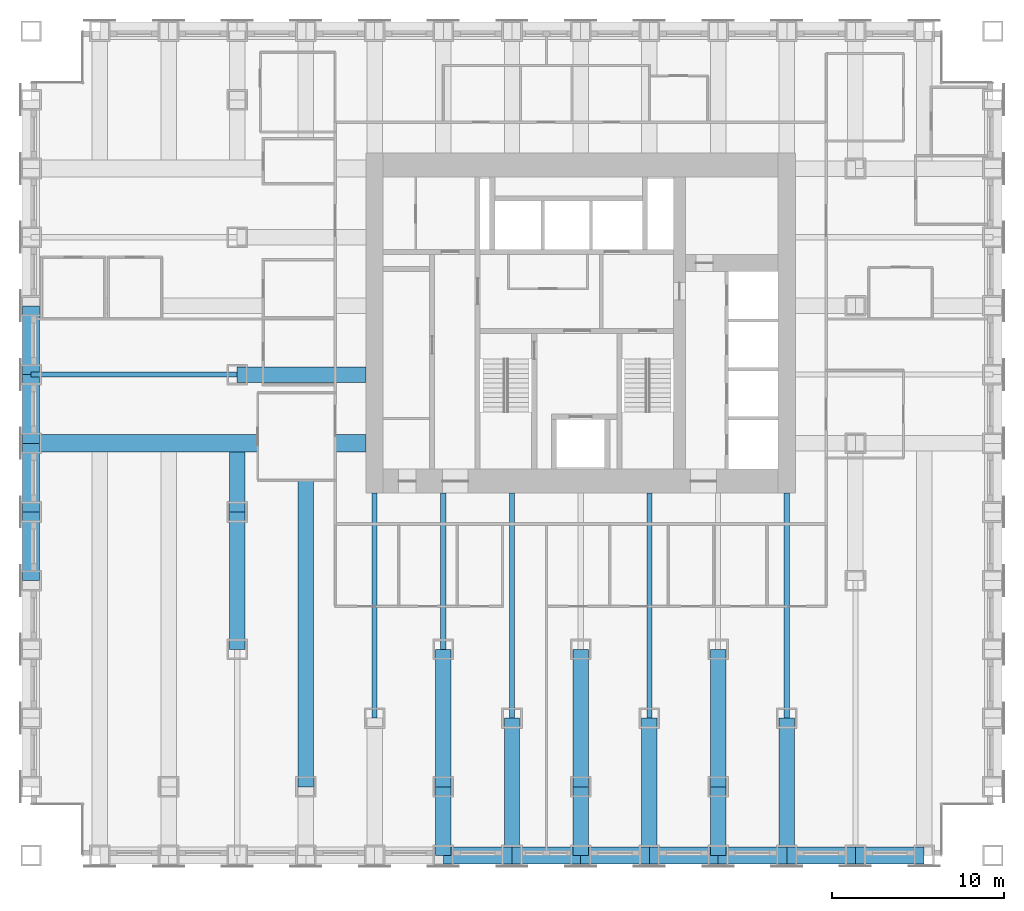
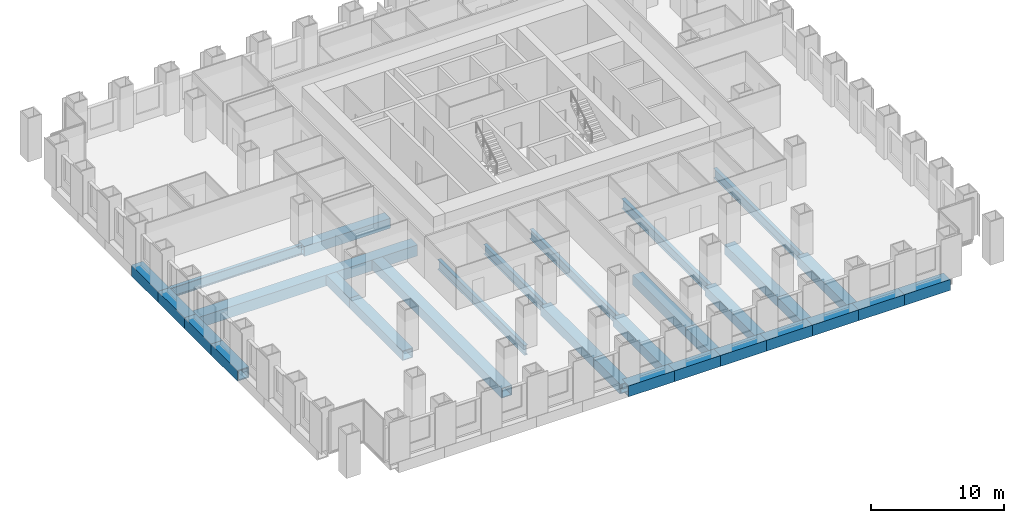
# One storey, part 3 of 15: 31 beams.
"""IFC4 building model written with IfcOpenShell, lengths in metres."""

from ifc_helpers import new_model, si_unit, direction, frame, origin, origin_2d, place, context, subcontext, project, spatial, hollow_rectangle, i_section, extrude, material, material_profile, profile_set, type_object, element, save


model = new_model("IFC4")

# Units and contexts
model_context = context("Model", 3, precision=1e-05, world=origin(), true_north=direction((0.0, 1.0)))
body_context = subcontext(model_context, "Body", "Model", "MODEL_VIEW")
ifc_project = project(units=[si_unit("LENGTHUNIT", "METRE"), si_unit("AREAUNIT", "SQUARE_METRE"), si_unit("VOLUMEUNIT", "CUBIC_METRE"), si_unit("PLANEANGLEUNIT", "RADIAN"), si_unit("MASSUNIT", "GRAM", prefix="KILO")], contexts=[model_context])

# Site, building, storey
site_placement = place(None, origin())
site = spatial("IfcSite", under=ifc_project, at=site_placement, CompositionType="ELEMENT")
building_placement = place(site_placement, origin())
building = spatial("IfcBuilding", under=site, at=building_placement, Name="Rimbunsela Tower", CompositionType="ELEMENT")
storey_placement = place(building_placement, frame((0.0, 0.0, 19.0)))
storey = spatial("IfcBuildingStorey", under=building, at=storey_placement, Name="L04", CompositionType="ELEMENT", Elevation=19.0)

# Beams
ifc_material_1 = material(Name="Steel BJ 55 (fy 410 MPa)", Category="steel")
ifc_material_profile_1 = material_profile(ifc_material_1, hollow_rectangle(XDim=1.0, YDim=1.0, WallThickness=0.10009765625, at=origin_2d()), Name="BOX 1000x1000x100")
ifc_profile_set_1 = profile_set([ifc_material_profile_1], Name="Steel BJ 55 (fy 410 MPa)")
beam_type_1 = type_object("IfcBeamType", Name="Beam BOX 1000x1000x100", PredefinedType="BEAM", material=ifc_profile_set_1)
for number, where, z_axis, x_axis, name in (
    (1, (-2.0, 12.0, -0.64990234375), (0.0, 1.0, 0.0), (-1.0, 0.0, 0.0), "Beam B3 L04"),
    (2, (-2.0, 16.0, -0.64990234375), (0.0, 1.0, 0.0), (-1.0, 0.0, 0.0), "Beam B3 L04"),
    (3, (-2.0, 20.0, -0.64990234375), (0.0, 1.0, 0.0), (-1.0, 0.0, 0.0), "Beam B3 L04"),
):
    element("IfcBeam", number, at=place(storey_placement, frame(where, z_axis=z_axis, x_axis=x_axis)), inside=storey, type_object=beam_type_1, Name=name, PredefinedType="BEAM", context=body_context, shape_type="SweptSolid", body=[
        extrude(hollow_rectangle(XDim=1.0, YDim=1.0, WallThickness=0.10009765625, at=origin_2d()), origin(), (0.0, 0.0, 1.0), 4.0),
    ])
beam_1_placement = place(storey_placement, frame((-2.0, 20.0, -0.64990234375), z_axis=(1.0, 0.0, 0.0), x_axis=(0.0, 1.0, 0.0)))
element("IfcBeam", 4, at=beam_1_placement, inside=storey, type_object=beam_type_1, Name="Beam B3 L04", PredefinedType="BEAM", context=body_context, shape_type="SweptSolid", body=[
    extrude(hollow_rectangle(XDim=1.0, YDim=1.0, WallThickness=0.10009765625, at=origin_2d()), origin(), (0.0, 0.0, 1.0), 19.5),
])
for number, where, z_axis, x_axis, name in (
    (5, (-2.0, 24.0, -0.64990234375), (0.0, 1.0, 0.0), (-1.0, 0.0, 0.0), "Beam B3 L04"),
    (6, (22.0, -4.0, -0.64990234375), (1.0, 0.0, 0.0), (0.0, 1.0, 0.0), "Beam B3 L04"),
    (7, (26.0, -4.0, -0.64990234375), (1.0, 0.0, 0.0), (0.0, 1.0, 0.0), "Beam B3 L04"),
    (8, (30.0, -4.0, -0.64990234375), (1.0, 0.0, 0.0), (0.0, 1.0, 0.0), "Beam B3 L04"),
    (9, (34.0, -4.0, -0.64990234375), (1.0, 0.0, 0.0), (0.0, 1.0, 0.0), "Beam B3 L04"),
    (10, (38.0, -4.0, -0.64990234375), (1.0, 0.0, 0.0), (0.0, 1.0, 0.0), "Beam B3 L04"),
    (11, (42.0, -4.0, -0.64990234375), (1.0, 0.0, 0.0), (0.0, 1.0, 0.0), "Beam B3 L04"),
    (12, (46.0, -4.0, -0.64990234375), (1.0, 0.0, 0.0), (0.0, 1.0, 0.0), "Beam B3 L04"),
):
    element("IfcBeam", number, at=place(storey_placement, frame(where, z_axis=z_axis, x_axis=x_axis)), inside=storey, type_object=beam_type_1, Name=name, PredefinedType="BEAM", context=body_context, shape_type="SweptSolid", body=[
        extrude(hollow_rectangle(XDim=1.0, YDim=1.0, WallThickness=0.10009765625, at=origin_2d()), origin(), (0.0, 0.0, 1.0), 4.0),
    ])
ifc_material_2 = material(Name="Steel BJ 55 (fy 410 MPa)", Category="steel")
ifc_material_profile_2 = material_profile(ifc_material_2, hollow_rectangle(XDim=0.89990234375, YDim=0.89990234375, WallThickness=0.06005859375, at=origin_2d()), Name="BOX 900x900x60")
ifc_profile_set_2 = profile_set([ifc_material_profile_2], Name="Steel BJ 55 (fy 410 MPa)")
beam_type_2 = type_object("IfcBeamType", Name="Beam BOX 900x900x60", PredefinedType="BEAM", material=ifc_profile_set_2)
beam_2_placement = place(storey_placement, frame((10.0, 8.0, -0.60009765625), z_axis=(0.0, 1.0, 0.0), x_axis=(-1.0, 0.0, 0.0)))
element("IfcBeam", 13, at=beam_2_placement, inside=storey, type_object=beam_type_2, Name="Beam B1 L04", PredefinedType="BEAM", context=body_context, shape_type="SweptSolid", body=[
    extrude(hollow_rectangle(XDim=0.89990234375, YDim=0.89990234375, WallThickness=0.06005859375, at=origin_2d()), origin(), (0.0, 0.0, 1.0), 8.0),
])
beam_3_placement = place(storey_placement, frame((10.0, 16.0, -0.60009765625), z_axis=(0.0, 1.0, 0.0), x_axis=(-1.0, 0.0, 0.0)))
element("IfcBeam", 14, at=beam_3_placement, inside=storey, type_object=beam_type_2, Name="Beam B1 L04", PredefinedType="BEAM", context=body_context, shape_type="SweptSolid", body=[
    extrude(hollow_rectangle(XDim=0.89990234375, YDim=0.89990234375, WallThickness=0.06005859375, at=origin_2d()), origin(), (0.0, 0.0, 1.0), 3.5),
])
beam_4_placement = place(storey_placement, frame((10.0, 24.0, -0.60009765625), z_axis=(1.0, 0.0, 0.0), x_axis=(0.0, 1.0, 0.0)))
element("IfcBeam", 15, at=beam_4_placement, inside=storey, type_object=beam_type_2, Name="Beam B1 L04", PredefinedType="BEAM", context=body_context, shape_type="SweptSolid", body=[
    extrude(hollow_rectangle(XDim=0.89990234375, YDim=0.89990234375, WallThickness=0.06005859375, at=origin_2d()), origin(), (0.0, 0.0, 1.0), 7.5),
])
beam_5_placement = place(storey_placement, frame((14.0, 0.0, -0.60009765625), z_axis=(0.0, 1.0, 0.0), x_axis=(-1.0, 0.0, 0.0)))
element("IfcBeam", 16, at=beam_5_placement, inside=storey, type_object=beam_type_2, Name="Beam B1 L04", PredefinedType="BEAM", context=body_context, shape_type="SweptSolid", body=[
    extrude(hollow_rectangle(XDim=0.89990234375, YDim=0.89990234375, WallThickness=0.06005859375, at=origin_2d()), origin(), (0.0, 0.0, 1.0), 19.5),
])
beam_6_placement = place(storey_placement, frame((22.0, -4.0, -0.60009765625), z_axis=(0.0, 1.0, 0.0), x_axis=(-1.0, 0.0, 0.0)))
element("IfcBeam", 17, at=beam_6_placement, inside=storey, type_object=beam_type_2, Name="Beam B1 L04", PredefinedType="BEAM", context=body_context, shape_type="SweptSolid", body=[
    extrude(hollow_rectangle(XDim=0.89990234375, YDim=0.89990234375, WallThickness=0.06005859375, at=origin_2d()), origin(), (0.0, 0.0, 1.0), 4.0),
])
for number, where, z_axis, x_axis, name in (
    (18, (22.0, 0.0, -0.60009765625), (0.0, 1.0, 0.0), (-1.0, 0.0, 0.0), "Beam B1 L04"),
    (19, (26.0, -4.0, -0.60009765625), (0.0, 1.0, 0.0), (-1.0, 0.0, 0.0), "Beam B1 L04"),
):
    element("IfcBeam", number, at=place(storey_placement, frame(where, z_axis=z_axis, x_axis=x_axis)), inside=storey, type_object=beam_type_2, Name=name, PredefinedType="BEAM", context=body_context, shape_type="SweptSolid", body=[
        extrude(hollow_rectangle(XDim=0.89990234375, YDim=0.89990234375, WallThickness=0.06005859375, at=origin_2d()), origin(), (0.0, 0.0, 1.0), 8.0),
    ])
beam_7_placement = place(storey_placement, frame((30.0, -4.0, -0.60009765625), z_axis=(0.0, 1.0, 0.0), x_axis=(-1.0, 0.0, 0.0)))
element("IfcBeam", 20, at=beam_7_placement, inside=storey, type_object=beam_type_2, Name="Beam B1 L04", PredefinedType="BEAM", context=body_context, shape_type="SweptSolid", body=[
    extrude(hollow_rectangle(XDim=0.89990234375, YDim=0.89990234375, WallThickness=0.06005859375, at=origin_2d()), origin(), (0.0, 0.0, 1.0), 4.0),
])
for number, where, z_axis, x_axis, name in (
    (21, (30.0, 0.0, -0.60009765625), (0.0, 1.0, 0.0), (-1.0, 0.0, 0.0), "Beam B1 L04"),
    (22, (34.0, -4.0, -0.60009765625), (0.0, 1.0, 0.0), (-1.0, 0.0, 0.0), "Beam B1 L04"),
):
    element("IfcBeam", number, at=place(storey_placement, frame(where, z_axis=z_axis, x_axis=x_axis)), inside=storey, type_object=beam_type_2, Name=name, PredefinedType="BEAM", context=body_context, shape_type="SweptSolid", body=[
        extrude(hollow_rectangle(XDim=0.89990234375, YDim=0.89990234375, WallThickness=0.06005859375, at=origin_2d()), origin(), (0.0, 0.0, 1.0), 8.0),
    ])
beam_8_placement = place(storey_placement, frame((38.0, -4.0, -0.60009765625), z_axis=(0.0, 1.0, 0.0), x_axis=(-1.0, 0.0, 0.0)))
element("IfcBeam", 23, at=beam_8_placement, inside=storey, type_object=beam_type_2, Name="Beam B1 L04", PredefinedType="BEAM", context=body_context, shape_type="SweptSolid", body=[
    extrude(hollow_rectangle(XDim=0.89990234375, YDim=0.89990234375, WallThickness=0.06005859375, at=origin_2d()), origin(), (0.0, 0.0, 1.0), 4.0),
])
for number, where, z_axis, x_axis, name in (
    (24, (38.0, 0.0, -0.60009765625), (0.0, 1.0, 0.0), (-1.0, 0.0, 0.0), "Beam B1 L04"),
    (25, (42.0, -4.0, -0.60009765625), (0.0, 1.0, 0.0), (-1.0, 0.0, 0.0), "Beam B1 L04"),
):
    element("IfcBeam", number, at=place(storey_placement, frame(where, z_axis=z_axis, x_axis=x_axis)), inside=storey, type_object=beam_type_2, Name=name, PredefinedType="BEAM", context=body_context, shape_type="SweptSolid", body=[
        extrude(hollow_rectangle(XDim=0.89990234375, YDim=0.89990234375, WallThickness=0.06005859375, at=origin_2d()), origin(), (0.0, 0.0, 1.0), 8.0),
    ])
ifc_material_3 = material(Name="Steel BJ 55 (fy 410 MPa)", Category="steel")
ifc_material_profile_3 = material_profile(ifc_material_3, i_section(OverallWidth=0.300048828125, OverallDepth=0.89990234375, WebThickness=0.01611328125, FlangeThickness=0.028076171875, FilletRadius=0.028076171875, at=origin_2d()), Name="H 900x300x16x28")
ifc_profile_set_3 = profile_set([ifc_material_profile_3], Name="Steel BJ 55 (fy 410 MPa)")
beam_type_3 = type_object("IfcBeamType", Name="Beam H 900x300x16x28", PredefinedType="BEAM", material=ifc_profile_set_3)
beam_9_placement = place(storey_placement, frame((-2.0, 24.0, -0.60009765625), z_axis=(1.0, 0.0, 0.0), x_axis=(0.0, 1.0, 0.0)))
element("IfcBeam", 26, at=beam_9_placement, inside=storey, type_object=beam_type_3, Name="Beam B2 L04", PredefinedType="BEAM", context=body_context, shape_type="SweptSolid", body=[
    extrude(i_section(OverallWidth=0.300048828125, OverallDepth=0.89990234375, WebThickness=0.01611328125, FlangeThickness=0.028076171875, FilletRadius=0.028076171875, at=origin_2d()), origin(), (0.0, 0.0, 1.0), 12.0),
])
beam_10_placement = place(storey_placement, frame((18.0, 4.0, -0.60009765625), z_axis=(0.0, 1.0, 0.0), x_axis=(-1.0, 0.0, 0.0)))
element("IfcBeam", 27, at=beam_10_placement, inside=storey, type_object=beam_type_3, Name="Beam B2 L04", PredefinedType="BEAM", context=body_context, shape_type="SweptSolid", body=[
    extrude(i_section(OverallWidth=0.300048828125, OverallDepth=0.89990234375, WebThickness=0.01611328125, FlangeThickness=0.028076171875, FilletRadius=0.028076171875, at=origin_2d()), origin(), (0.0, 0.0, 1.0), 13.10009765625),
])
beam_11_placement = place(storey_placement, frame((22.0, 8.0, -0.60009765625), z_axis=(0.0, 1.0, 0.0), x_axis=(-1.0, 0.0, 0.0)))
element("IfcBeam", 28, at=beam_11_placement, inside=storey, type_object=beam_type_3, Name="Beam B2 L04", PredefinedType="BEAM", context=body_context, shape_type="SweptSolid", body=[
    extrude(i_section(OverallWidth=0.300048828125, OverallDepth=0.89990234375, WebThickness=0.01611328125, FlangeThickness=0.028076171875, FilletRadius=0.028076171875, at=origin_2d()), origin(), (0.0, 0.0, 1.0), 9.10009765625),
])
for number, where, z_axis, x_axis, name in (
    (29, (26.0, 4.0, -0.60009765625), (0.0, 1.0, 0.0), (-1.0, 0.0, 0.0), "Beam B2 L04"),
    (30, (34.0, 4.0, -0.60009765625), (0.0, 1.0, 0.0), (-1.0, 0.0, 0.0), "Beam B2 L04"),
    (31, (42.0, 4.0, -0.60009765625), (0.0, 1.0, 0.0), (-1.0, 0.0, 0.0), "Beam B2 L04"),
):
    element("IfcBeam", number, at=place(storey_placement, frame(where, z_axis=z_axis, x_axis=x_axis)), inside=storey, type_object=beam_type_3, Name=name, PredefinedType="BEAM", context=body_context, shape_type="SweptSolid", body=[
        extrude(i_section(OverallWidth=0.300048828125, OverallDepth=0.89990234375, WebThickness=0.01611328125, FlangeThickness=0.028076171875, FilletRadius=0.028076171875, at=origin_2d()), origin(), (0.0, 0.0, 1.0), 13.10009765625),
    ])

save(model, "model.ifc")
